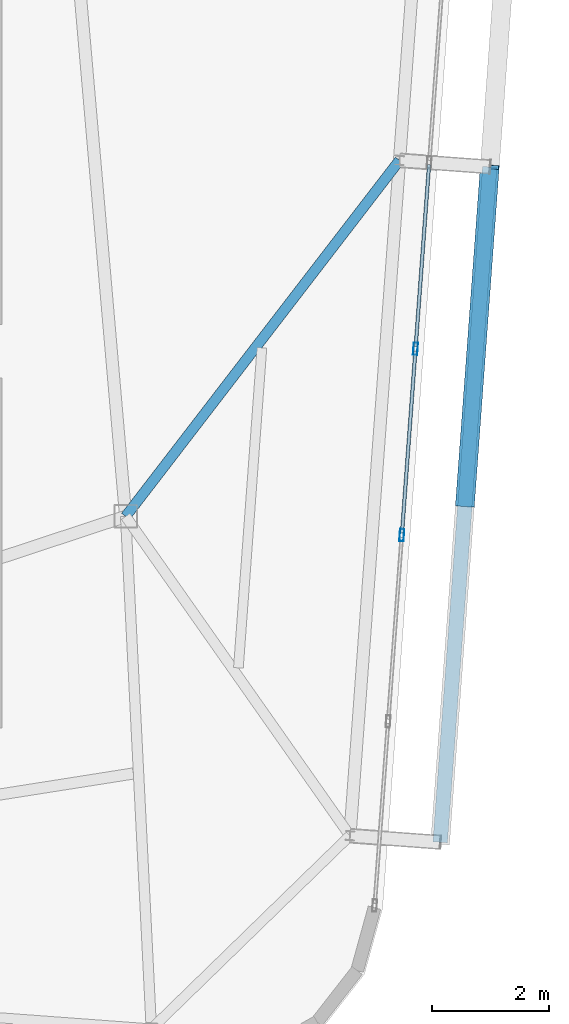
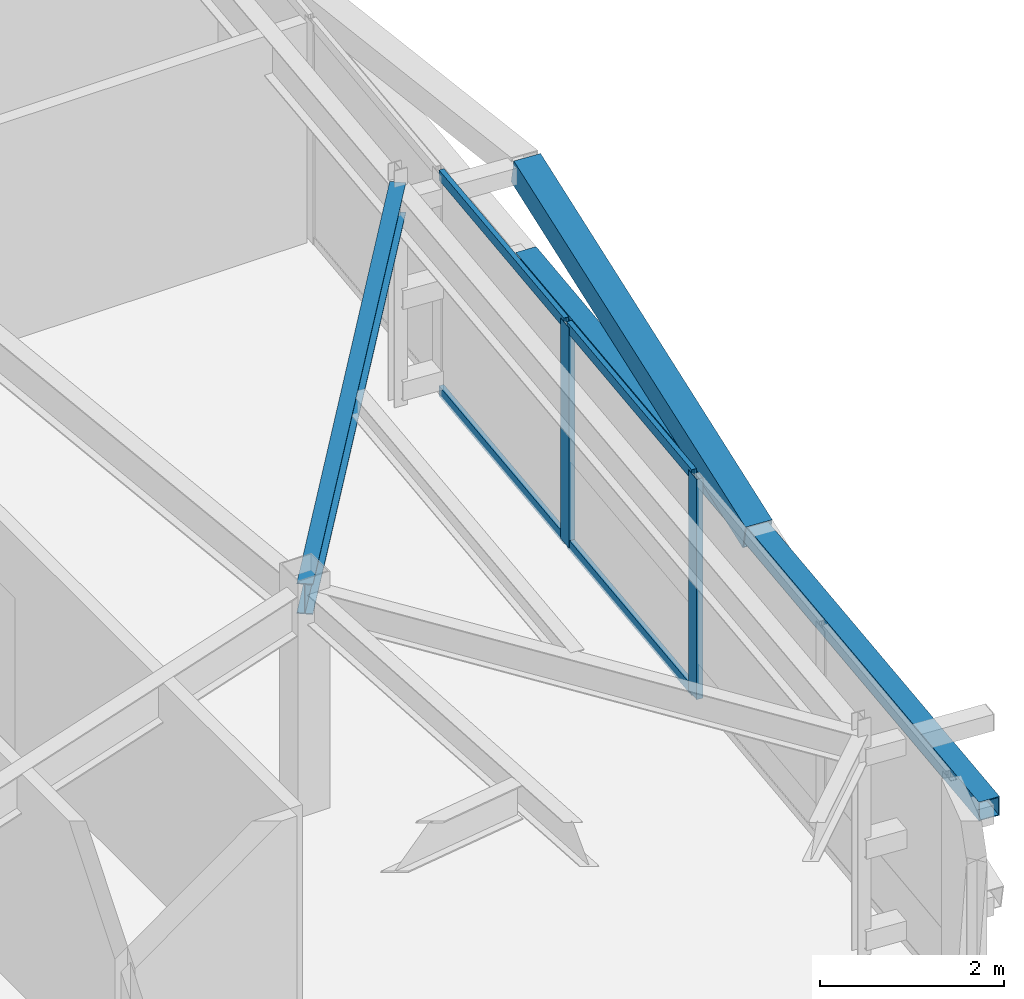
# One storey, part 21 of 42: 8 members, 1 beam, 1 element without a shape of its own.
"""IFC4 building model written with IfcOpenShell, lengths in metres."""

import ifcopenshell
import ifcopenshell.guid

model = None  # the IFC model being written
_history = None  # IfcOwnerHistory: only IFC2X3 demands one
_inside = {}  # id of a spatial element -> (the spatial element, [elements in it])
_under = {}  # id of a project, library or spatial element -> (it, [spatial elements below it])
_declared = {}  # id of a project -> (the project, [libraries it declares])
_typed = {}  # id of a type object -> (the type object, [elements of that type])
_made_of = {}  # id of a material, layer set ... -> (it, [elements and type objects made of it])


def new_model(schema):
    """Start an empty IFC model of exactly this schema.

    Asked for "IFC4X3", IfcOpenShell would pick the latest addendum, in which some entities
    have other attributes; the version numbers below select the first issue.
    IFC2X3 requires an IfcOwnerHistory on every rooted entity: one is made here for all.
    """
    global model, _history
    if schema == "IFC4X3":
        model = ifcopenshell.file(schema_version=(4, 3, 0, 0))
    else:
        model = ifcopenshell.file(schema=schema)
    _inside.clear()
    _under.clear()
    _declared.clear()
    _typed.clear()
    _made_of.clear()
    _history = None
    if model.schema == "IFC2X3":
        org = make("IfcOrganization", Name="unknown")
        user = make(
            "IfcPersonAndOrganization",
            ThePerson=make("IfcPerson", FamilyName="unknown"),
            TheOrganization=org,
        )
        app = make(
            "IfcApplication",
            ApplicationDeveloper=org,
            Version="unknown",
            ApplicationFullName="unknown",
            ApplicationIdentifier="unknown",
        )
        _history = make(
            "IfcOwnerHistory",
            OwningUser=user,
            OwningApplication=app,
            ChangeAction="ADDED",
            CreationDate=0,
        )
    return model


def make(cls, **values):
    """One entity of the class cls with the attributes given. An attribute that is None is left unset."""
    return model.create_entity(
        cls, **{name: value for name, value in values.items() if value is not None}
    )


def rooted(cls, **values):
    """An entity with a GlobalId (a new one), such as an element, a storey or a relation."""
    return make(cls, GlobalId=ifcopenshell.guid.new(), OwnerHistory=_history, **values)


def si_unit(unit_type, name, prefix=None):
    """IfcSIUnit, for example si_unit("LENGTHUNIT", "METRE", prefix="MILLI")."""
    return make("IfcSIUnit", UnitType=unit_type, Prefix=prefix, Name=name)


def assignment(units):
    """IfcUnitAssignment: the units of a project."""
    return None if units is None else make("IfcUnitAssignment", Units=units)


def point(xyz):
    """IfcCartesianPoint."""
    return None if xyz is None else make("IfcCartesianPoint", Coordinates=xyz)


def direction(xyz):
    """IfcDirection."""
    return None if xyz is None else make("IfcDirection", DirectionRatios=xyz)


def frame(location, z_axis=None, x_axis=None):
    """IfcAxis2Placement3D, a coordinate frame: its origin and axes. An axis left out is left unset."""
    return make(
        "IfcAxis2Placement3D",
        Location=point(location),
        Axis=direction(z_axis),
        RefDirection=direction(x_axis),
    )


def frame_2d(location, x_axis=None):
    """IfcAxis2Placement2D, a coordinate frame in the plane: its origin and x axis."""
    return make(
        "IfcAxis2Placement2D", Location=point(location), RefDirection=direction(x_axis)
    )


def origin():
    """The frame at (0, 0, 0) with its axes left unset."""
    return frame((0.0, 0.0, 0.0))


def origin_2d():
    """The frame at (0, 0) in the plane with its x axis left unset."""
    return frame_2d((0.0, 0.0))


def place(relative_to, where):
    """IfcLocalPlacement: puts the frame where relative to a parent placement (None: the world)."""
    return make(
        "IfcLocalPlacement", PlacementRelTo=relative_to, RelativePlacement=where
    )


def context(
    kind, dimensions, precision=None, world=None, true_north=None, identifier=None
):
    """IfcGeometricRepresentationContext, for example the 3D "Model" context."""
    return make(
        "IfcGeometricRepresentationContext",
        ContextIdentifier=identifier,
        ContextType=kind,
        CoordinateSpaceDimension=dimensions,
        Precision=precision,
        WorldCoordinateSystem=world,
        TrueNorth=true_north,
    )


def subcontext(parent, identifier, kind, view, scale=None):
    """IfcGeometricRepresentationSubContext, for example "Body" below "Model"."""
    return make(
        "IfcGeometricRepresentationSubContext",
        ContextIdentifier=identifier,
        ContextType=kind,
        ParentContext=parent,
        TargetScale=scale,
        TargetView=view,
    )


def project(units=None, contexts=None):
    """IfcProject with its units and contexts."""
    return rooted(
        "IfcProject",
        Name="project",
        RepresentationContexts=contexts,
        UnitsInContext=assignment(units),
    )


def spatial(cls, under=None, at=None, **own):
    """A site, building, storey or space (cls), placed at a placement, below another one or the project."""
    s = rooted(cls, ObjectPlacement=at, **own)
    if under is not None:
        _under.setdefault(under.id(), (under, []))[1].append(s)
    return s


def profile(cls, at=None, kind="AREA", **sizes):
    """A parametric profile (cls). Its sizes go by their IFC names, for example OverallWidth=200.0."""
    return make(cls, ProfileType=kind, Position=at, **sizes)


def hollow_rectangle(**sizes):
    """IfcRectangleHollowProfileDef."""
    return profile("IfcRectangleHollowProfileDef", **sizes)


def i_section(**sizes):
    """IfcIShapeProfileDef."""
    return profile("IfcIShapeProfileDef", **sizes)


def extrude(swept, where, along, depth):
    """IfcExtrudedAreaSolid: the profile swept, set in the frame where, extruded along a direction by depth."""
    return make(
        "IfcExtrudedAreaSolid",
        SweptArea=swept,
        Position=where,
        ExtrudedDirection=direction(along),
        Depth=depth,
    )


def shape(context_of_items, identifier, shape_type, items):
    """IfcShapeRepresentation: the items that make up one representation, for example the "Body"."""
    return make(
        "IfcShapeRepresentation",
        ContextOfItems=context_of_items,
        RepresentationIdentifier=identifier,
        RepresentationType=shape_type,
        Items=items,
    )


def source(mapping_origin, context_of_items, identifier, shape_type, items):
    """IfcRepresentationMap: a shape defined once, which mapped items show again and again."""
    return make(
        "IfcRepresentationMap",
        MappingOrigin=mapping_origin,
        MappedRepresentation=shape(context_of_items, identifier, shape_type, items),
    )


def transform(
    local_origin,
    x_axis=None,
    y_axis=None,
    z_axis=None,
    scale=None,
    scale2=None,
    scale3=None,
    uniform=True,
):
    """IfcCartesianTransformationOperator3D, or its non-uniform kind. x_axis, y_axis, z_axis: its Axis1, 2, 3."""
    if uniform:
        return make(
            "IfcCartesianTransformationOperator3D",
            Axis1=direction(x_axis),
            Axis2=direction(y_axis),
            LocalOrigin=point(local_origin),
            Scale=scale,
            Axis3=direction(z_axis),
        )
    return make(
        "IfcCartesianTransformationOperator3DnonUniform",
        Axis1=direction(x_axis),
        Axis2=direction(y_axis),
        LocalOrigin=point(local_origin),
        Scale=scale,
        Axis3=direction(z_axis),
        Scale2=scale2,
        Scale3=scale3,
    )


def mapped(mapping_source, mapping_target):
    """IfcMappedItem: shows the shape of a source again, moved by a transform."""
    return make(
        "IfcMappedItem", MappingSource=mapping_source, MappingTarget=mapping_target
    )


def material(Name=None, Category=None):
    """IfcMaterial."""
    return make("IfcMaterial", Name=Name, Category=Category)


def layer(
    of_material, thickness, ventilated=None, Name=None, Category=None, Priority=None
):
    """IfcMaterialLayer: one layer of a wall or slab, of a material (None: an air gap)."""
    return make(
        "IfcMaterialLayer",
        Material=of_material,
        LayerThickness=thickness,
        IsVentilated=ventilated,
        Name=Name,
        Category=Category,
        Priority=Priority,
    )


def layer_set(layers, Name=None):
    """IfcMaterialLayerSet."""
    return make("IfcMaterialLayerSet", MaterialLayers=layers, LayerSetName=Name)


def material_profile(
    of_material, cross_section, Name=None, Category=None, Priority=None
):
    """IfcMaterialProfile: a cross section and its material."""
    return make(
        "IfcMaterialProfile",
        Name=Name,
        Material=of_material,
        Profile=cross_section,
        Priority=Priority,
        Category=Category,
    )


def profile_set(profiles, Name=None, composite=None):
    """IfcMaterialProfileSet."""
    return make(
        "IfcMaterialProfileSet",
        Name=Name,
        MaterialProfiles=profiles,
        CompositeProfile=composite,
    )


def made_of(thing, what):
    """Note that an element or type object is made of a material, layer set ...; save() writes the relation."""
    if what is not None:
        _made_of.setdefault(what.id(), (what, []))[1].append(thing)
    return thing


def type_object(cls, material=None, **own):
    """A type object (cls), such as IfcWallType, which elements share."""
    return made_of(rooted(cls, **own), material)


def element(
    cls,
    number,
    at=None,
    inside=None,
    cuts=None,
    type_object=None,
    material=None,
    context=None,
    identifier="Body",
    shape_type=None,
    held_by="IfcProductDefinitionShape",
    body=None,
    shapes=None,
    **own,
):
    """One element of the class cls, such as IfcWall. Its Tag is "e" and its number.

    at: its placement. inside: the storey or other place that contains it. cuts: it is an
    opening in that element (IfcRelVoidsElement). A single representation is given by context,
    identifier, shape_type and body (its items); several are given by shapes. held_by: the class
    of the entity that holds the representations. save() writes the other relations.
    """
    e = rooted(cls, Tag="e%d" % number, ObjectPlacement=at, **own)
    if body is not None:
        shapes = [shape(context, identifier, shape_type, body)]
    if shapes is not None:
        e.Representation = make(held_by, Representations=shapes)
    if inside is not None:
        _inside.setdefault(inside.id(), (inside, []))[1].append(e)
    if cuts is not None:
        rooted(
            "IfcRelVoidsElement", RelatingBuildingElement=cuts, RelatedOpeningElement=e
        )
    if type_object is not None:
        _typed.setdefault(type_object.id(), (type_object, []))[1].append(e)
    return made_of(e, material)


def aggregate(whole, parts):
    """IfcRelAggregates: a whole, such as a stair, and the parts it consists of."""
    return rooted("IfcRelAggregates", RelatingObject=whole, RelatedObjects=parts)


def save(model, path):
    """Write the relations noted so far, then the file.

    IfcRelAggregates (storeys below a building ...), IfcRelContainedInSpatialStructure (elements
    in a storey), IfcRelDefinesByType, IfcRelAssociatesMaterial and IfcRelDeclares: one each for
    every whole, place, type object, material and project.
    """
    for whole, parts in _under.values():
        aggregate(whole, parts)
    for where, things in _inside.values():
        rooted(
            "IfcRelContainedInSpatialStructure",
            RelatedElements=things,
            RelatingStructure=where,
        )
    for kind, things in _typed.values():
        rooted("IfcRelDefinesByType", RelatedObjects=things, RelatingType=kind)
    for what, things in _made_of.values():
        rooted("IfcRelAssociatesMaterial", RelatedObjects=things, RelatingMaterial=what)
    for by, libraries in _declared.values():
        rooted("IfcRelDeclares", RelatingContext=by, RelatedDefinitions=libraries)
    model.write(path)


model = new_model("IFC4")

# Units and contexts
model_context = context("Model", 3, precision=1e-05, world=origin(), true_north=direction((0.0, 1.0)))
body_context = subcontext(model_context, "Body", "Model", "MODEL_VIEW")
ifc_project = project(units=[si_unit("LENGTHUNIT", "METRE"), si_unit("AREAUNIT", "SQUARE_METRE"), si_unit("VOLUMEUNIT", "CUBIC_METRE"), si_unit("PLANEANGLEUNIT", "RADIAN"), si_unit("MASSUNIT", "GRAM", prefix="KILO")], contexts=[model_context])

# Site, building, storey
site_placement = place(None, origin())
site = spatial("IfcSite", under=ifc_project, at=site_placement, CompositionType="ELEMENT")
building_placement = place(site_placement, origin())
building = spatial("IfcBuilding", under=site, at=building_placement, Name="Taldren Reach Tower", CompositionType="ELEMENT")
storey_placement = place(building_placement, frame((0.0, 0.0, 224.0)))
storey = spatial("IfcBuildingStorey", under=building, at=storey_placement, Name="L68", CompositionType="ELEMENT", Elevation=224.0)

# Beam
ifc_material_1 = material(Name="Steel Gr 350 (350PLUS)", Category="steel")
ifc_material_profile_1 = material_profile(ifc_material_1, i_section(OverallWidth=0.177978515625, OverallDepth=0.406005859375, WebThickness=0.0078125, FlangeThickness=0.0126953125, at=origin_2d()), Name="410UB59.7")
ifc_profile_set_1 = profile_set([ifc_material_profile_1], Name="Steel Gr 350 (350PLUS)")
beam_type = type_object("IfcBeamType", Name="BM-UB410", PredefinedType="BEAM", material=ifc_profile_set_1)
shared_shape_1 = source(origin(), body_context, "Body", "SweptSolid", [
    extrude(i_section(OverallWidth=0.177978515625, OverallDepth=0.406005859375, WebThickness=0.0078125, FlangeThickness=0.0126953125, at=origin_2d()), origin(), (0.0, 0.0, 1.0), 7.6953125),
])
beam_placement = place(storey_placement, frame((52.0, 12.5, 2.72705078125), z_axis=(0.609646363361, 0.792673521471, 0.0), x_axis=(-0.792673521471, 0.609646363361, 0.0)))
element("IfcBeam", 1, at=beam_placement, inside=storey, type_object=beam_type, Name="Primary floor girder B5-E2 L68", PredefinedType="BEAM", context=body_context, shape_type="MappedRepresentation", body=[
    mapped(shared_shape_1, transform((0.0, 0.0, 0.0), scale=1.0)),
])

# Members
ifc_material_2 = material(Name="Steel Gr 450 (C450L0)", Category="steel")
ifc_material_profile_2 = material_profile(ifc_material_2, hollow_rectangle(XDim=0.324951171875, YDim=0.324951171875, WallThickness=0.0126953125, at=origin_2d()), Name="325x325x12.7SHS")
ifc_profile_set_2 = profile_set([ifc_material_profile_2], Name="Steel Gr 450 (C450L0)")
member_type_1 = type_object("IfcMemberType", Name="MB-BR324", PredefinedType="BRACE", material=ifc_profile_set_2)
shared_shape_2 = source(origin(), body_context, "Body", "SweptSolid", [
    extrude(hollow_rectangle(XDim=0.324951171875, YDim=0.324951171875, WallThickness=0.0126953125, at=origin_2d()), origin(), (0.0, 0.0, 1.0), 5.92578125),
])
member_1_placement = place(storey_placement, frame((57.812255859375, 12.701904296875, 1.43505859375), z_axis=(0.071686540919, 0.976131732187, 0.205007027365), x_axis=(-0.997314185625, 0.073242167855, 0.0)))
element("IfcMember", 2, at=member_1_placement, inside=storey, type_object=member_type_1, Name="Exoskeleton Diagrid Brace B5-E1 L68", PredefinedType="BRACE", context=body_context, shape_type="MappedRepresentation", body=[
    mapped(shared_shape_2, transform((0.0, 0.0, 0.0), scale=1.0)),
])
ifc_material_3 = material(Name="Steel Gr 350 (C350L0)", Category="steel")
ifc_material_profile_3 = material_profile(ifc_material_3, hollow_rectangle(XDim=0.25, YDim=0.25, WallThickness=0.010009765625, at=origin_2d()), Name="250x250x10.0SHS")
ifc_profile_set_3 = profile_set([ifc_material_profile_3], Name="Steel Gr 350 (C350L0)")
member_type_2 = type_object("IfcMemberType", Name="MB-POST250", PredefinedType="POST", material=ifc_profile_set_3)
shared_shape_3 = source(origin(), body_context, "Body", "SweptSolid", [
    extrude(hollow_rectangle(XDim=0.25, YDim=0.25, WallThickness=0.010009765625, at=origin_2d()), origin(), (0.0, 0.0, 1.0), 11.60009765625),
])
member_2_placement = place(storey_placement, frame((57.3876953125, 6.91748046875, 1.43505859375), z_axis=(0.073221234109, 0.997315722766, 0.0), x_axis=(-0.997315722766, 0.073221234109, 0.0)))
element("IfcMember", 3, at=member_2_placement, inside=storey, type_object=member_type_2, Name="Exoskeleton mid-height ring chord B5-E1 L68", PredefinedType="POST", context=body_context, shape_type="MappedRepresentation", body=[
    mapped(shared_shape_3, transform((0.0, 0.0, 0.0), scale=1.0)),
])

# Curtain wall, members
ifc_material_4 = material(Name="Aluminium and Low-E Glass Unitised System", Category="aluminium")
ifc_layer = layer(ifc_material_4, 0.159912109375)
ifc_layer_set = layer_set([ifc_layer], Name="Aluminium and Low-E Glass Unitised System")
curtain_wall_type = type_object("IfcCurtainWallType", Name="CW-SYS-6", PredefinedType="NOTDEFINED", material=ifc_layer_set)
curtain_wall_placement = place(storey_placement, origin())
curtain_wall = element("IfcCurtainWall", 4, at=curtain_wall_placement, inside=storey, type_object=curtain_wall_type, Name="Unitised curtain wall CW-L68-E", PredefinedType="NOTDEFINED")
ifc_material_5 = material(Name="Anodised Aluminium 6063-T6", Category="aluminium")
ifc_material_profile_4 = material_profile(ifc_material_5, hollow_rectangle(XDim=0.074951171875, YDim=0.2099609375, WallThickness=0.00439453125, at=origin_2d()), Name="ALU-210x75x4.5RHS")
ifc_profile_set_4 = profile_set([ifc_material_profile_4], Name="Anodised Aluminium 6063-T6")
member_type_3 = type_object("IfcMemberType", Name="CW-MUL-200", PredefinedType="MULLION", material=ifc_profile_set_4)
shared_shape_4 = source(origin(), body_context, "Body", "SweptSolid", [
    extrude(hollow_rectangle(XDim=0.074951171875, YDim=0.2099609375, WallThickness=0.00439453125, at=origin_2d()), origin(), (0.0, 0.0, 1.0), 2.929931640625),
])
member_3_placement = place(storey_placement, frame((56.731201171875, 12.1796875, 0.0), z_axis=(0.0, 0.0, 1.0), x_axis=(-0.997314470951, 0.073238282558, 0.0)))
member_3 = element("IfcMember", 5, at=member_3_placement, type_object=member_type_3, Name="CW-6 mullion 3", PredefinedType="MULLION", context=body_context, shape_type="MappedRepresentation", body=[
    mapped(shared_shape_4, transform((0.0, 0.0, 0.0), scale=1.0)),
])
member_4_placement = place(storey_placement, frame((56.965576171875, 15.37109375, 0.0), z_axis=(0.0, 0.0, 1.0), x_axis=(-0.997314470951, 0.073238282558, 0.0)))
member_4 = element("IfcMember", 6, at=member_4_placement, type_object=member_type_3, Name="CW-6 mullion 4", PredefinedType="MULLION", context=body_context, shape_type="MappedRepresentation", body=[
    mapped(shared_shape_4, transform((0.0, 0.0, 0.0), scale=1.0)),
])
ifc_material_profile_5 = material_profile(ifc_material_5, hollow_rectangle(XDim=0.06005859375, YDim=0.135009765625, WallThickness=0.00341796875, at=origin_2d()), Name="ALU-135x60x3.5RHS")
ifc_profile_set_5 = profile_set([ifc_material_profile_5], Name="Anodised Aluminium 6063-T6")
member_type_4 = type_object("IfcMemberType", Name="CW-TRN-150", PredefinedType="USERDEFINED", material=ifc_profile_set_5)
shared_shape_5 = source(origin(), body_context, "Body", "SweptSolid", [
    extrude(hollow_rectangle(XDim=0.06005859375, YDim=0.135009765625, WallThickness=0.00341796875, at=origin_2d()), origin(), (0.0, 0.0, 1.0), 3.124755859375),
])
member_5_placement = place(storey_placement, frame((56.73388671875, 12.217041015625, 0.030029296875), z_axis=(0.073284589347, 0.997311069308, 0.0), x_axis=(-0.997311069308, 0.073284589347, 0.0)))
member_5 = element("IfcMember", 7, at=member_5_placement, type_object=member_type_4, Name="CW-6 transom 3.1", ObjectType="TRANSOM", PredefinedType="USERDEFINED", context=body_context, shape_type="MappedRepresentation", body=[
    mapped(shared_shape_5, transform((0.0, 0.0, 0.0), scale=1.0)),
])
member_6_placement = place(storey_placement, frame((56.73388671875, 12.217041015625, 2.89990234375), z_axis=(0.073284589347, 0.997311069308, 0.0), x_axis=(-0.997311069308, 0.073284589347, 0.0)))
member_6 = element("IfcMember", 8, at=member_6_placement, type_object=member_type_4, Name="CW-6 transom 3.2", ObjectType="TRANSOM", PredefinedType="USERDEFINED", context=body_context, shape_type="MappedRepresentation", body=[
    mapped(shared_shape_5, transform((0.0, 0.0, 0.0), scale=1.0)),
])
member_7_placement = place(storey_placement, frame((56.96826171875, 15.408447265625, 0.030029296875), z_axis=(0.073284589347, 0.997311069308, 0.0), x_axis=(-0.997311069308, 0.073284589347, 0.0)))
member_7 = element("IfcMember", 9, at=member_7_placement, type_object=member_type_4, Name="CW-6 transom 4.1", ObjectType="TRANSOM", PredefinedType="USERDEFINED", context=body_context, shape_type="MappedRepresentation", body=[
    mapped(shared_shape_5, transform((0.0, 0.0, 0.0), scale=1.0)),
])
member_8_placement = place(storey_placement, frame((56.96826171875, 15.408447265625, 2.89990234375), z_axis=(0.073284589347, 0.997311069308, 0.0), x_axis=(-0.997311069308, 0.073284589347, 0.0)))
member_8 = element("IfcMember", 10, at=member_8_placement, type_object=member_type_4, Name="CW-6 transom 4.2", ObjectType="TRANSOM", PredefinedType="USERDEFINED", context=body_context, shape_type="MappedRepresentation", body=[
    mapped(shared_shape_5, transform((0.0, 0.0, 0.0), scale=1.0)),
])
aggregate(curtain_wall, [member_3, member_4, member_5, member_6, member_7, member_8])

save(model, "model.ifc")
